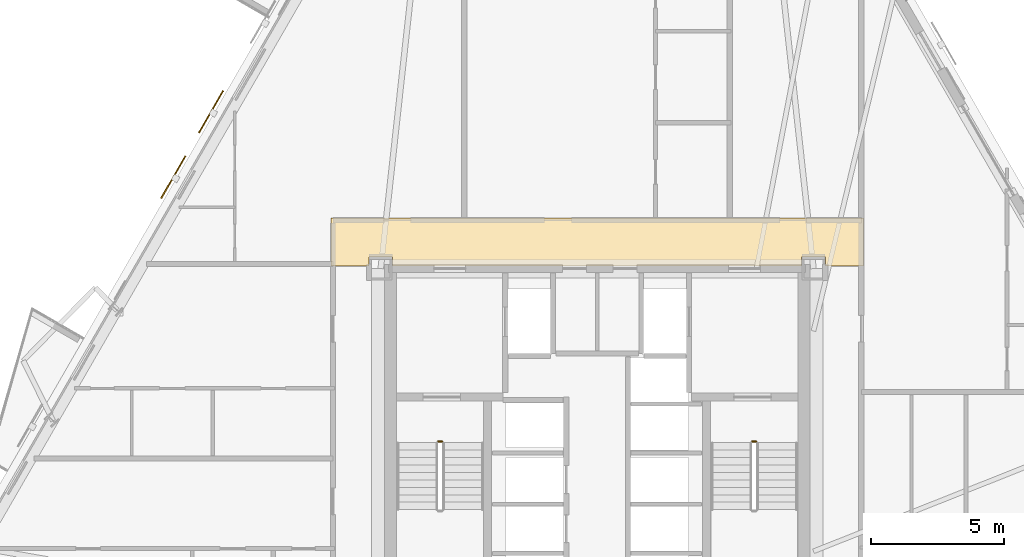
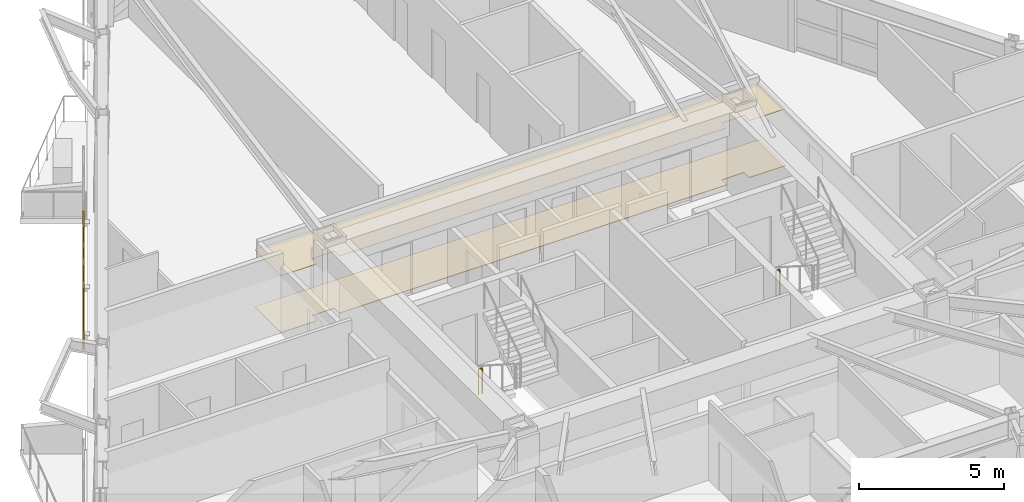
# One storey, part 14 of 15: 2 coverings, 2 railings, 2 shading devices.
"""IFC4 building model written with IfcOpenShell, lengths in metres."""

from ifc_helpers import new_model, si_unit, direction, frame, origin, origin_2d, place, context, subcontext, project, spatial, polyline, rectangle, circle, outline, extrude, material, layer, layer_set, type_object, element, save


model = new_model("IFC4")

# Units and contexts
model_context = context("Model", 3, precision=1e-05, world=origin(), true_north=direction((0.0, 1.0)))
body_context = subcontext(model_context, "Body", "Model", "MODEL_VIEW")
ifc_project = project(units=[si_unit("LENGTHUNIT", "METRE"), si_unit("AREAUNIT", "SQUARE_METRE"), si_unit("VOLUMEUNIT", "CUBIC_METRE"), si_unit("PLANEANGLEUNIT", "RADIAN"), si_unit("MASSUNIT", "GRAM", prefix="KILO")], contexts=[model_context])

# Site, building, storey
site_placement = place(None, origin())
site = spatial("IfcSite", under=ifc_project, at=site_placement, CompositionType="ELEMENT")
building_placement = place(site_placement, origin())
building = spatial("IfcBuilding", under=site, at=building_placement, Name="Oramaril Tower", CompositionType="ELEMENT")
storey_placement = place(building_placement, frame((0.0, 0.0, 93.300048828125)))
storey = spatial("IfcBuildingStorey", under=building, at=storey_placement, Name="L24", CompositionType="ELEMENT", Elevation=93.300048828125)

# Coverings
ifc_material_1 = material(Name="Mineral Fibre Acoustic Ceiling")
ifc_layer_1 = layer(ifc_material_1, 0.02001953125)
ifc_layer_set_1 = layer_set([ifc_layer_1], Name="CVT-CEIL")
covering_type_1 = type_object("IfcCoveringType", Name="CVT-CEIL", PredefinedType="CEILING", material=ifc_layer_set_1)
covering_1_placement = place(storey_placement, frame((0.0, 0.0, 2.39990234375)))
element("IfcCovering", 1, at=covering_1_placement, inside=storey, type_object=covering_type_1, Name="L24 Acoustic Suspended Ceiling 2", PredefinedType="CEILING", context=body_context, shape_type="SweptSolid", body=[
    extrude(outline(polyline([(47.530029296875, 24.239990234375), (46.094970703125, 24.239990234375), (46.094970703125, 24.594970703125), (45.205078125, 24.594970703125), (45.205078125, 24.25), (29.794921875, 24.25), (29.794921875, 24.594970703125), (28.905029296875, 24.594970703125), (28.905029296875, 24.239990234375), (27.469970703125, 24.239990234375), (27.469970703125, 26.050048828125), (47.530029296875, 26.050048828125), (47.530029296875, 24.239990234375)])), origin(), (0.0, 0.0, 1.0), 0.02001953125),
])
ifc_material_2 = material(Name="Honed Quartzite Stone Flooring", Category="masonry")
ifc_layer_2 = layer(ifc_material_2, 0.02490234375)
ifc_layer_set_2 = layer_set([ifc_layer_2], Name="CVT-FLR")
covering_type_2 = type_object("IfcCoveringType", Name="CVT-FLR", PredefinedType="FLOORING", material=ifc_layer_set_2)
covering_2_placement = place(storey_placement, origin())
element("IfcCovering", 2, at=covering_2_placement, inside=storey, type_object=covering_type_2, Name="L24 Honed Stone Floor Finish 2", PredefinedType="FLOORING", context=body_context, shape_type="SweptSolid", body=[
    extrude(outline(polyline([(47.530029296875, 24.239990234375), (46.094970703125, 24.239990234375), (46.094970703125, 24.594970703125), (45.205078125, 24.594970703125), (45.205078125, 24.25), (29.794921875, 24.25), (29.794921875, 24.594970703125), (28.905029296875, 24.594970703125), (28.905029296875, 24.239990234375), (27.469970703125, 24.239990234375), (27.469970703125, 26.050048828125), (47.530029296875, 26.050048828125), (47.530029296875, 24.239990234375)])), origin(), (0.0, 0.0, 1.0), 0.02490234375),
])

# Railings
ifc_material_3 = material(Name="Stainless Steel 316L", Category="steel")
railing_type = type_object("IfcRailingType", Name="RLT-GRD", PredefinedType="GUARDRAIL", material=ifc_material_3)
for number, where, name in (
    (3, (31.510009765625, 17.639892578125, 0.0), "L24 ST-1 stair guard 4"),
    (4, (43.340087890625, 17.639892578125, 0.0), "L24 ST-2 stair guard 4"),
):
    element("IfcRailing", number, at=place(storey_placement, frame(where)), inside=storey, type_object=railing_type, Name=name, PredefinedType="GUARDRAIL", context=body_context, shape_type="SweptSolid", body=[
        extrude(circle(Radius=0.02392578125, at=origin_2d()), frame((0.0, 0.0, 1.076171875), z_axis=(1.0, 0.0, 0.0), x_axis=(0.0, 1.0, 0.0)), (0.0, 0.0, 1.0), 0.14990234375),
        extrude(circle(Radius=0.02099609375, at=origin_2d()), origin(), (0.0, 0.0, 1.0), 1.052001953125),
        extrude(circle(Radius=0.02099609375, at=origin_2d()), frame((0.14990234375, 0.0, 0.0)), (0.0, 0.0, 1.0), 1.052001953125),
    ])

# Shading devices
for number, where, z_axis, x_axis, name in (
    (5, (22.960205078125, 30.056396484375, -0.02001953125), (0.0, 0.0, 1.0), (-0.5, -0.866025403784, 0.0), "L24 Perforated Ceramic Solar Screen"),
    (6, (21.5380859375, 27.593017578125, -0.02001953125), (0.0, 0.0, 1.0), (-0.5, -0.866025403784, 0.0), "L24 Perforated Ceramic Solar Screen"),
):
    element("IfcShadingDevice", number, at=place(storey_placement, frame(where, z_axis=z_axis, x_axis=x_axis)), inside=storey, Name=name, ObjectType="SCREEN", PredefinedType="USERDEFINED", context=body_context, shape_type="SweptSolid", body=[
        extrude(rectangle(XDim=1.8330078125, YDim=0.050048828125, at=origin_2d()), origin(), (0.0, 0.0, 1.0), 2.577880859375),
    ])

save(model, "model.ifc")
